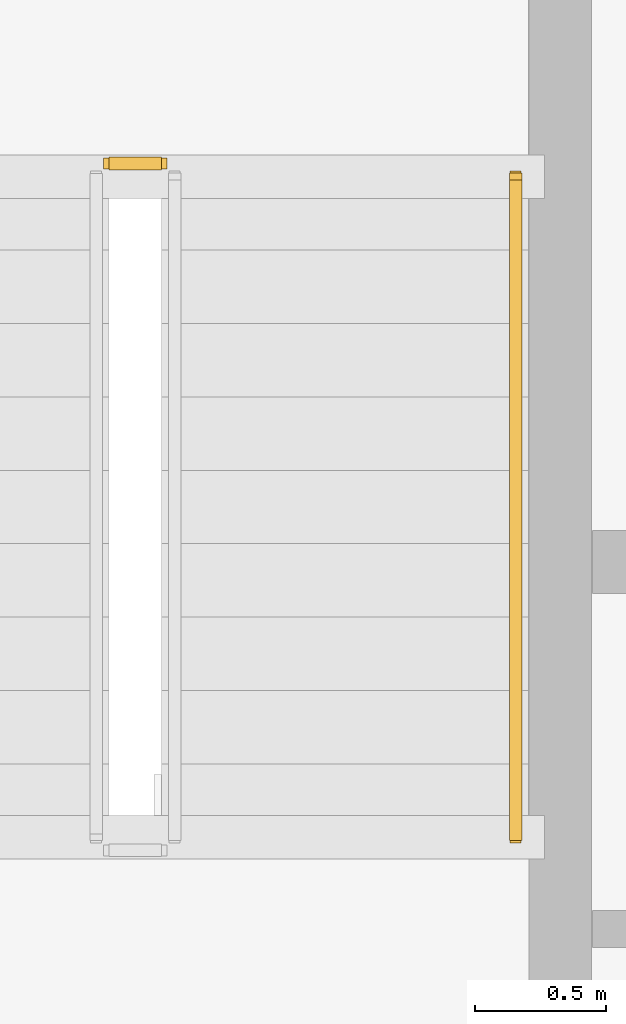
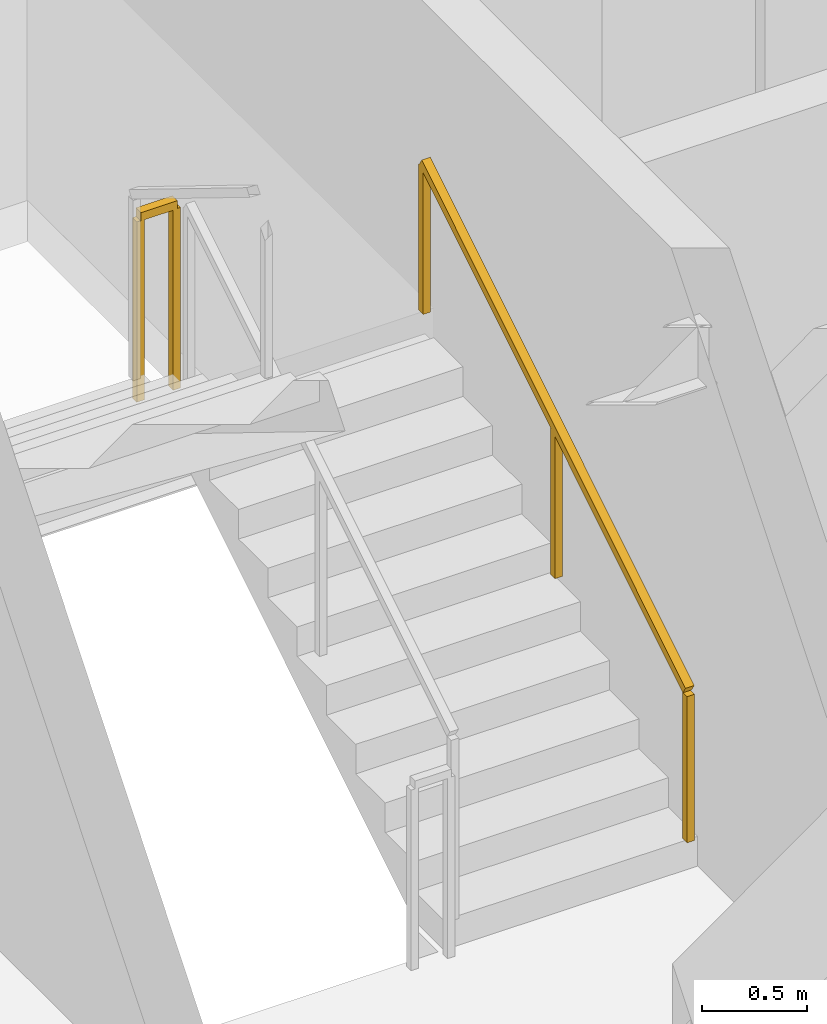
# One storey, part 10 of 11: 2 railings.
"""IFC4 building model written with IfcOpenShell, lengths in metres."""

from ifc_helpers import new_model, si_unit, direction, frame, origin, origin_2d, place, context, subcontext, project, spatial, rectangle, extrude, material, type_object, element, save


model = new_model("IFC4")

# Units and contexts
model_context = context("Model", 3, precision=1e-05, world=origin(), true_north=direction((0.0, 1.0)))
body_context = subcontext(model_context, "Body", "Model", "MODEL_VIEW")
ifc_project = project(units=[si_unit("LENGTHUNIT", "METRE"), si_unit("AREAUNIT", "SQUARE_METRE"), si_unit("VOLUMEUNIT", "CUBIC_METRE"), si_unit("PLANEANGLEUNIT", "RADIAN"), si_unit("MASSUNIT", "GRAM", prefix="KILO")], contexts=[model_context])

# Site, building, storey
site_placement = place(None, origin())
site = spatial("IfcSite", under=ifc_project, at=site_placement, CompositionType="ELEMENT")
building_placement = place(site_placement, origin())
building = spatial("IfcBuilding", under=site, at=building_placement, Name="Haldorwick Loom Tower", CompositionType="ELEMENT")
storey_placement = place(building_placement, frame((0.0, 0.0, 218.64990234375)))
storey = spatial("IfcBuildingStorey", under=building, at=storey_placement, Name="L59", CompositionType="ELEMENT", Elevation=218.64990234375)

# Railings
ifc_material = material(Name="Steel CSA G40.21 350W", Category="steel")
railing_type_1 = type_object("IfcRailingType", Name="ARC-RLG-GUARD112", PredefinedType="GUARDRAIL", material=ifc_material)
railing_1_placement = place(storey_placement, frame((31.85009765625, 30.969970703125, 1.72509765625)))
element("IfcRailing", 1, at=railing_1_placement, inside=storey, type_object=railing_type_1, Name="L59 ST-03 stair guard 2", PredefinedType="GUARDRAIL", context=body_context, shape_type="SweptSolid", body=[
    extrude(rectangle(XDim=0.048095703125, YDim=0.048095703125, at=origin_2d()), frame((0.0, 0.0, 1.076171875), z_axis=(-1.0, 0.0, 0.0), x_axis=(0.0, -1.0, 0.0)), (0.0, 0.0, 1.0), 0.2001953125),
    extrude(rectangle(XDim=0.0419921875, YDim=0.0419921875, at=origin_2d()), origin(), (0.0, 0.0, 1.0), 1.052001953125),
    extrude(rectangle(XDim=0.0419921875, YDim=0.0419921875, at=origin_2d()), frame((-0.2001953125, 0.0, 0.0)), (0.0, 0.0, 1.0), 1.052001953125),
])
railing_type_2 = type_object("IfcRailingType", Name="ARC-RLG-HAND092", PredefinedType="HANDRAIL", material=ifc_material)
railing_2_placement = place(storey_placement, frame((33.199951171875, 28.39990234375, 0.172607421875)))
element("IfcRailing", 2, at=railing_2_placement, inside=storey, type_object=railing_type_2, Name="L59 ST-03 stair handrail 1", PredefinedType="HANDRAIL", context=body_context, shape_type="SweptSolid", body=[
    extrude(rectangle(XDim=0.048095703125, YDim=0.048095703125, at=origin_2d()), frame((0.0, 0.0, 0.8759765625), z_axis=(0.0, 0.851400495292, 0.524516154772), x_axis=(-1.0, 0.0, 0.0)), (0.0, 0.0, 1.0), 2.9599609375),
    extrude(rectangle(XDim=0.0419921875, YDim=0.0419921875, at=origin_2d()), origin(), (0.0, 0.0, 1.0), 0.851806640625),
    extrude(rectangle(XDim=0.0419921875, YDim=0.0419921875, at=origin_2d()), frame((0.0, 1.260009765625, 0.7763671875)), (0.0, 0.0, 1.0), 0.851806640625),
    extrude(rectangle(XDim=0.0419921875, YDim=0.0419921875, at=origin_2d()), frame((0.0, 2.52001953125, 1.552490234375)), (0.0, 0.0, 1.0), 0.851806640625),
])

save(model, "model.ifc")
